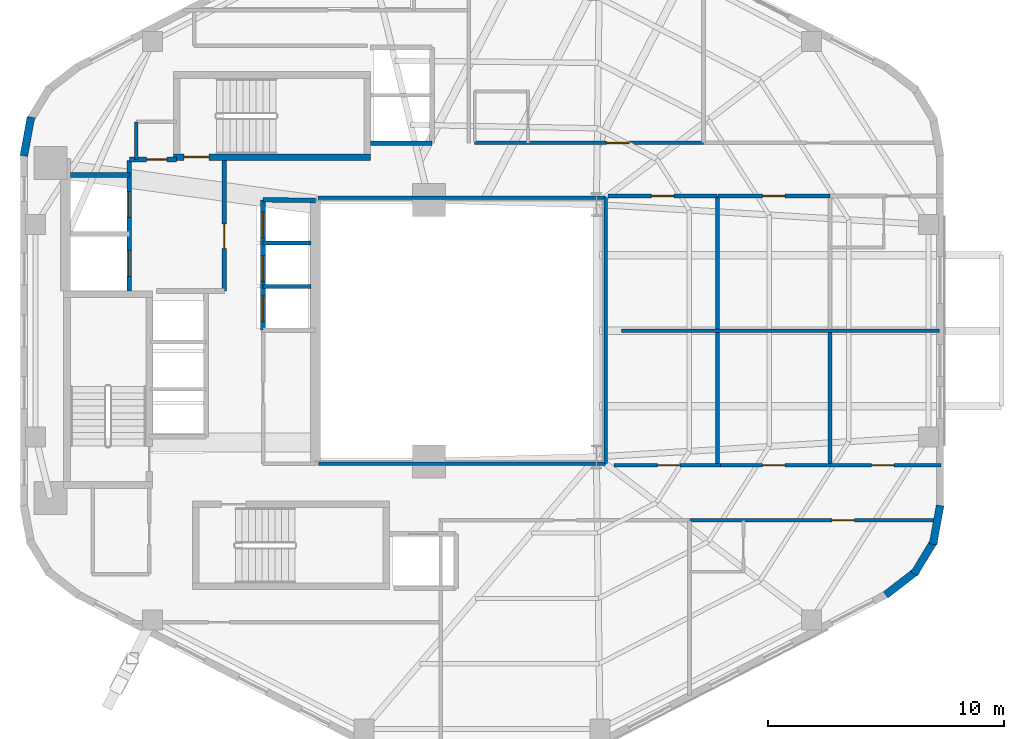
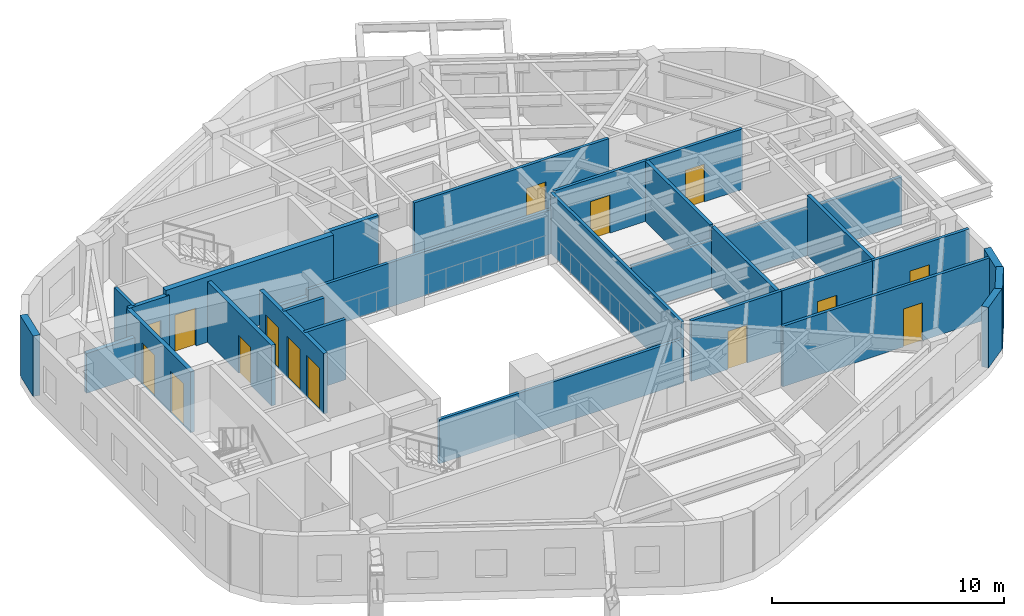
# One storey, part 8 of 12: 29 walls, 15 doors, 15 openings.
"""IFC4 building model written with IfcOpenShell, lengths in metres."""

from ifc_helpers import new_model, si_unit, direction, frame, frame_2d, origin, place, context, subcontext, project, spatial, rectangle, extrude, material, layer, layer_set, type_object, element, fill, save


model = new_model("IFC4")

# Units and contexts
model_context = context("Model", 3, precision=1e-05, world=origin(), true_north=direction((0.0, 1.0)))
body_context = subcontext(model_context, "Body", "Model", "MODEL_VIEW")
ifc_project = project(units=[si_unit("LENGTHUNIT", "METRE"), si_unit("AREAUNIT", "SQUARE_METRE"), si_unit("VOLUMEUNIT", "CUBIC_METRE"), si_unit("PLANEANGLEUNIT", "RADIAN"), si_unit("MASSUNIT", "GRAM", prefix="KILO"), si_unit("THERMODYNAMICTEMPERATUREUNIT", "KELVIN"), si_unit("POWERUNIT", "WATT")], contexts=[model_context])

# Site, building, storey
site_placement = place(None, origin())
site = spatial("IfcSite", under=ifc_project, at=site_placement, CompositionType="ELEMENT")
building_placement = place(site_placement, origin())
building = spatial("IfcBuilding", under=site, at=building_placement, Name="Skarre Station Tower", CompositionType="ELEMENT")
storey_placement = place(building_placement, frame((0.0, 0.0, 163.64990234375)))
storey = spatial("IfcBuildingStorey", under=building, at=storey_placement, Name="L44", CompositionType="ELEMENT", Elevation=163.64990234375)

# Walls
ifc_material_1 = material(Name="Acoustic Steel-Stud Gypsum Partition", Category="steel")
ifc_layer_1 = layer(ifc_material_1, 0.14990234375, Name="Acoustic Steel-Stud Gypsum Partition")
ifc_layer_set_1 = layer_set([ifc_layer_1], Name="Acoustic Steel-Stud Gypsum Partition")
wall_type_1 = type_object("IfcWallType", Name="Fire-Rated Corridor Acoustic Partition 150", PredefinedType="PARTITIONING", material=ifc_layer_set_1)
wall_1_placement = place(storey_placement, frame((19.949951171875, 32.85009765625, 0.0), z_axis=(0.0, 0.0, 1.0), x_axis=(0.0, -1.0, 0.0)))
element("IfcWall", 1, at=wall_1_placement, inside=storey, type_object=wall_type_1, Name="L44 Interior Partition WL-PT-L44-CNW-W", PredefinedType="PARTITIONING", context=body_context, shape_type="SweptSolid", body=[
    extrude(rectangle(XDim=1.590087890625, YDim=0.14990234375, at=frame_2d((0.794921875, 0.0))), origin(), (0.0, 0.0, 1.0), 3.190185546875),
])
wall_2_placement = place(storey_placement, frame((27.675048828125, 18.360107421875, 0.0), z_axis=(0.0, 0.0, 1.0), x_axis=(1.0, 0.0, 0.0)))
element("IfcWall", 2, at=wall_2_placement, inside=storey, type_object=wall_type_1, Name="L44 Interior Partition WL-PT-L44-ATRW-S", PredefinedType="PARTITIONING", context=body_context, shape_type="SweptSolid", body=[
    extrude(rectangle(XDim=12.1650390625, YDim=0.14990234375, at=frame_2d((6.08251953125, 0.0))), origin(), (0.0, 0.0, 1.0), 2.3310546875),
])
wall_3_placement = place(storey_placement, frame((39.840087890625, 29.639892578125, 0.0), z_axis=(0.0, 0.0, 1.0), x_axis=(-1.0, 0.0, 0.0)))
element("IfcWall", 3, at=wall_3_placement, inside=storey, type_object=wall_type_1, Name="L44 Interior Partition WL-PT-L44-ATRW-N", PredefinedType="PARTITIONING", context=body_context, shape_type="SweptSolid", body=[
    extrude(rectangle(XDim=12.2001953125, YDim=0.14990234375, at=frame_2d((6.10009765625, 0.0))), origin(), (0.0, 0.0, 1.0), 2.3310546875),
])
wall_4_placement = place(storey_placement, frame((39.840087890625, 18.360107421875, 0.0), z_axis=(0.0, 0.0, 1.0), x_axis=(0.0, 1.0, 0.0)))
element("IfcWall", 4, at=wall_4_placement, inside=storey, type_object=wall_type_1, Name="L44 Interior Partition WL-PT-L44-ATRW-E", PredefinedType="PARTITIONING", context=body_context, shape_type="SweptSolid", body=[
    extrude(rectangle(XDim=11.27978515625, YDim=0.14990234375, at=frame_2d((5.639892578125, 0.0))), origin(), (0.0, 0.0, 1.0), 3.190185546875),
])

# Wall, opening, door
wall_5_placement = place(storey_placement, frame((43.985107421875, 31.9599609375, 0.0), z_axis=(0.0, 0.0, 1.0), x_axis=(-1.0, 0.0, 0.0)))
wall_5 = element("IfcWall", 5, at=wall_5_placement, inside=storey, type_object=wall_type_1, Name="L44 Interior Partition WL-PT-L44-NW1-CW", PredefinedType="PARTITIONING", context=body_context, shape_type="SweptSolid", body=[
    extrude(rectangle(XDim=9.695068359375, YDim=0.14990234375, at=frame_2d((4.84765625, 0.0))), origin(), (0.0, 0.0, 1.0), 3.190185546875),
])
opening_1_placement = place(wall_5_placement, frame((3.14794921875, 0.0, 0.0)))
opening_1 = element("IfcOpeningElement", 6, at=opening_1_placement, cuts=wall_5, Name="Opening DR-FD60", PredefinedType="OPENING", context=body_context, shape_type="SweptSolid", body=[
    extrude(rectangle(XDim=0.9599609375, YDim=2.0, at=frame_2d((0.47998046875, 1.0))), frame((0.0, 0.0849609375, 0.0), z_axis=(0.0, -1.0, 0.0), x_axis=(1.0, 0.0, 0.0)), (0.0, 0.0, 1.0), 0.169921875),
])
ifc_material_2 = material(Name="Nordic White-Oak Veneer Solid-Core Fire Leaf", Category="wood")
door_type_1 = type_object("IfcDoorType", Name="Corridor Suite Entry Fire Door FD60 960x2150", OperationType="SINGLE_SWING_LEFT", PredefinedType="DOOR", material=ifc_material_2)
door_1_placement = place(opening_1_placement, origin())
door_1 = element("IfcDoor", 7, at=door_1_placement, inside=storey, type_object=door_type_1, Name="L44 NW1 Entry Door", OperationType="SINGLE_SWING_LEFT", OverallHeight=2.0, OverallWidth=0.9599609375, PredefinedType="DOOR", context=body_context, shape_type="SweptSolid", body=[
    extrude(rectangle(XDim=0.9599609375, YDim=2.0, at=frame_2d((0.47998046875, 1.0))), frame((0.0, 0.02490234375, 0.0), z_axis=(0.0, -1.0, 0.0), x_axis=(1.0, 0.0, 0.0)), (0.0, 0.0, 1.0), 0.050048828125),
])
fill(opening_1, door_1)

wall_6_placement = place(storey_placement, frame((39.949951171875, 29.7099609375, 0.0), z_axis=(0.0, 0.0, 1.0), x_axis=(1.0, 0.0, 0.0)))
wall_6 = element("IfcWall", 8, at=wall_6_placement, inside=storey, type_object=wall_type_1, Name="L44 Interior Partition WL-PT-L44-EWN1-CW", PredefinedType="PARTITIONING", context=body_context, shape_type="SweptSolid", body=[
    extrude(rectangle(XDim=4.619140625, YDim=0.14990234375, at=frame_2d((2.3095703125, 0.0))), origin(), (0.0, 0.0, 1.0), 3.190185546875),
])
opening_2_placement = place(wall_6_placement, frame((1.8291015625, 0.0, 0.0)))
opening_2 = element("IfcOpeningElement", 9, at=opening_2_placement, cuts=wall_6, Name="Opening DR-FD60", PredefinedType="OPENING", context=body_context, shape_type="SweptSolid", body=[
    extrude(rectangle(XDim=0.9599609375, YDim=2.0, at=frame_2d((0.47998046875, 1.0))), frame((0.0, 0.0849609375, 0.0), z_axis=(0.0, -1.0, 0.0), x_axis=(1.0, 0.0, 0.0)), (0.0, 0.0, 1.0), 0.169921875),
])
door_2_placement = place(opening_2_placement, origin())
door_2 = element("IfcDoor", 10, at=door_2_placement, inside=storey, type_object=door_type_1, Name="L44 EWN1 Entry Door", OperationType="SINGLE_SWING_LEFT", OverallHeight=2.0, OverallWidth=0.9599609375, PredefinedType="DOOR", context=body_context, shape_type="SweptSolid", body=[
    extrude(rectangle(XDim=0.9599609375, YDim=2.0, at=frame_2d((0.47998046875, 1.0))), frame((0.0, 0.02490234375, 0.0), z_axis=(0.0, -1.0, 0.0), x_axis=(1.0, 0.0, 0.0)), (0.0, 0.0, 1.0), 0.050048828125),
])
fill(opening_2, door_2)

wall_7_placement = place(storey_placement, frame((44.59912109375, 29.7099609375, 0.0), z_axis=(0.0, 0.0, 1.0), x_axis=(1.0, 0.0, 0.0)))
wall_7 = element("IfcWall", 11, at=wall_7_placement, inside=storey, type_object=wall_type_1, Name="L44 Interior Partition WL-PT-L44-EWN2-CW", PredefinedType="PARTITIONING", context=body_context, shape_type="SweptSolid", body=[
    extrude(rectangle(XDim=4.743896484375, YDim=0.14990234375, at=frame_2d((2.3720703125, 0.0))), origin(), (0.0, 0.0, 1.0), 3.190185546875),
])
opening_3_placement = place(wall_7_placement, frame((1.89208984375, 0.0, 0.0)))
opening_3 = element("IfcOpeningElement", 12, at=opening_3_placement, cuts=wall_7, Name="Opening DR-FD60", PredefinedType="OPENING", context=body_context, shape_type="SweptSolid", body=[
    extrude(rectangle(XDim=0.9599609375, YDim=2.0, at=frame_2d((0.47998046875, 1.0))), frame((0.0, 0.0849609375, 0.0), z_axis=(0.0, -1.0, 0.0), x_axis=(1.0, 0.0, 0.0)), (0.0, 0.0, 1.0), 0.169921875),
])
door_3_placement = place(opening_3_placement, origin())
door_3 = element("IfcDoor", 13, at=door_3_placement, inside=storey, type_object=door_type_1, Name="L44 EWN2 Entry Door", OperationType="SINGLE_SWING_LEFT", OverallHeight=2.0, OverallWidth=0.9599609375, PredefinedType="DOOR", context=body_context, shape_type="SweptSolid", body=[
    extrude(rectangle(XDim=0.9599609375, YDim=2.0, at=frame_2d((0.47998046875, 1.0))), frame((0.0, 0.02490234375, 0.0), z_axis=(0.0, -1.0, 0.0), x_axis=(1.0, 0.0, 0.0)), (0.0, 0.0, 1.0), 0.050048828125),
])
fill(opening_3, door_3)

wall_8_placement = place(storey_placement, frame((44.7041015625, 18.2900390625, 0.0), z_axis=(0.0, 0.0, 1.0), x_axis=(-1.0, 0.0, 0.0)))
wall_8 = element("IfcWall", 14, at=wall_8_placement, inside=storey, type_object=wall_type_1, Name="L44 Interior Partition WL-PT-L44-EWS1-CW", PredefinedType="PARTITIONING", context=body_context, shape_type="SweptSolid", body=[
    extrude(rectangle(XDim=4.504150390625, YDim=0.14990234375, at=frame_2d((2.251953125, 0.0))), origin(), (0.0, 0.0, 1.0), 3.190185546875),
])
opening_4_placement = place(wall_8_placement, frame((1.714111328125, 0.0, 0.0)))
opening_4 = element("IfcOpeningElement", 15, at=opening_4_placement, cuts=wall_8, Name="Opening DR-FD60", PredefinedType="OPENING", context=body_context, shape_type="SweptSolid", body=[
    extrude(rectangle(XDim=0.9599609375, YDim=2.0, at=frame_2d((0.47998046875, 1.0))), frame((0.0, 0.0849609375, 0.0), z_axis=(0.0, -1.0, 0.0), x_axis=(1.0, 0.0, 0.0)), (0.0, 0.0, 1.0), 0.169921875),
])
door_4_placement = place(opening_4_placement, origin())
door_4 = element("IfcDoor", 16, at=door_4_placement, inside=storey, type_object=door_type_1, Name="L44 EWS1 Entry Door", OperationType="SINGLE_SWING_LEFT", OverallHeight=2.0, OverallWidth=0.9599609375, PredefinedType="DOOR", context=body_context, shape_type="SweptSolid", body=[
    extrude(rectangle(XDim=0.9599609375, YDim=2.0, at=frame_2d((0.47998046875, 1.0))), frame((0.0, 0.02490234375, 0.0), z_axis=(0.0, -1.0, 0.0), x_axis=(1.0, 0.0, 0.0)), (0.0, 0.0, 1.0), 0.050048828125),
])
fill(opening_4, door_4)

wall_9_placement = place(storey_placement, frame((49.22802734375, 18.2900390625, 0.0), z_axis=(0.0, 0.0, 1.0), x_axis=(-1.0, 0.0, 0.0)))
wall_9 = element("IfcWall", 17, at=wall_9_placement, inside=storey, type_object=wall_type_1, Name="L44 Interior Partition WL-PT-L44-EWS2-CW", PredefinedType="PARTITIONING", context=body_context, shape_type="SweptSolid", body=[
    extrude(rectangle(XDim=4.513916015625, YDim=0.14990234375, at=frame_2d((2.2568359375, 0.0))), origin(), (0.0, 0.0, 1.0), 3.190185546875),
])
opening_5_placement = place(wall_9_placement, frame((1.777099609375, 0.0, 0.0)))
opening_5 = element("IfcOpeningElement", 18, at=opening_5_placement, cuts=wall_9, Name="Opening DR-FD60", PredefinedType="OPENING", context=body_context, shape_type="SweptSolid", body=[
    extrude(rectangle(XDim=0.9599609375, YDim=2.0, at=frame_2d((0.47998046875, 1.0))), frame((0.0, 0.0849609375, 0.0), z_axis=(0.0, -1.0, 0.0), x_axis=(1.0, 0.0, 0.0)), (0.0, 0.0, 1.0), 0.169921875),
])
door_5_placement = place(opening_5_placement, origin())
door_5 = element("IfcDoor", 19, at=door_5_placement, inside=storey, type_object=door_type_1, Name="L44 EWS2 Entry Door", OperationType="SINGLE_SWING_LEFT", OverallHeight=2.0, OverallWidth=0.9599609375, PredefinedType="DOOR", context=body_context, shape_type="SweptSolid", body=[
    extrude(rectangle(XDim=0.9599609375, YDim=2.0, at=frame_2d((0.47998046875, 1.0))), frame((0.0, 0.02490234375, 0.0), z_axis=(0.0, -1.0, 0.0), x_axis=(1.0, 0.0, 0.0)), (0.0, 0.0, 1.0), 0.050048828125),
])
fill(opening_5, door_5)

wall_10_placement = place(storey_placement, frame((54.06201171875, 18.2900390625, 0.0), z_axis=(0.0, 0.0, 1.0), x_axis=(-1.0, 0.0, 0.0)))
wall_10 = element("IfcWall", 20, at=wall_10_placement, inside=storey, type_object=wall_type_1, Name="L44 Interior Partition WL-PT-L44-EWS3-CW", PredefinedType="PARTITIONING", context=body_context, shape_type="SweptSolid", body=[
    extrude(rectangle(XDim=4.823974609375, YDim=0.14990234375, at=frame_2d((2.412109375, 0.0))), origin(), (0.0, 0.0, 1.0), 3.190185546875),
])
opening_6_placement = place(wall_10_placement, frame((1.989013671875, 0.0, 0.0)))
opening_6 = element("IfcOpeningElement", 21, at=opening_6_placement, cuts=wall_10, Name="Opening DR-FD60", PredefinedType="OPENING", context=body_context, shape_type="SweptSolid", body=[
    extrude(rectangle(XDim=0.9599609375, YDim=2.0, at=frame_2d((0.47998046875, 1.0))), frame((0.0, 0.0849609375, 0.0), z_axis=(0.0, -1.0, 0.0), x_axis=(1.0, 0.0, 0.0)), (0.0, 0.0, 1.0), 0.169921875),
])
door_6_placement = place(opening_6_placement, origin())
door_6 = element("IfcDoor", 22, at=door_6_placement, inside=storey, type_object=door_type_1, Name="L44 EWS3 Entry Door", OperationType="SINGLE_SWING_LEFT", OverallHeight=2.0, OverallWidth=0.9599609375, PredefinedType="DOOR", context=body_context, shape_type="SweptSolid", body=[
    extrude(rectangle(XDim=0.9599609375, YDim=2.0, at=frame_2d((0.47998046875, 1.0))), frame((0.0, 0.02490234375, 0.0), z_axis=(0.0, -1.0, 0.0), x_axis=(1.0, 0.0, 0.0)), (0.0, 0.0, 1.0), 0.050048828125),
])
fill(opening_6, door_6)

wall_11_placement = place(storey_placement, frame((43.4189453125, 15.9599609375, 0.0), z_axis=(0.0, 0.0, 1.0), x_axis=(1.0, 0.0, 0.0)))
wall_11 = element("IfcWall", 23, at=wall_11_placement, inside=storey, type_object=wall_type_1, Name="L44 Interior Partition WL-PT-L44-SW2-CW", PredefinedType="PARTITIONING", context=body_context, shape_type="SweptSolid", body=[
    extrude(rectangle(XDim=10.64404296875, YDim=0.14990234375, at=frame_2d((5.322021484375, 0.0))), origin(), (0.0, 0.0, 1.0), 3.190185546875),
])
opening_7_placement = place(wall_11_placement, frame((6.010986328125, 0.0, 0.0)))
opening_7 = element("IfcOpeningElement", 24, at=opening_7_placement, cuts=wall_11, Name="Opening DR-FD60", PredefinedType="OPENING", context=body_context, shape_type="SweptSolid", body=[
    extrude(rectangle(XDim=0.9599609375, YDim=2.0, at=frame_2d((0.47998046875, 1.0))), frame((0.0, 0.0849609375, 0.0), z_axis=(0.0, -1.0, 0.0), x_axis=(1.0, 0.0, 0.0)), (0.0, 0.0, 1.0), 0.169921875),
])
door_7_placement = place(opening_7_placement, origin())
door_7 = element("IfcDoor", 25, at=door_7_placement, inside=storey, type_object=door_type_1, Name="L44 SW2 Entry Door", OperationType="SINGLE_SWING_LEFT", OverallHeight=2.0, OverallWidth=0.9599609375, PredefinedType="DOOR", context=body_context, shape_type="SweptSolid", body=[
    extrude(rectangle(XDim=0.9599609375, YDim=2.0, at=frame_2d((0.47998046875, 1.0))), frame((0.0, 0.02490234375, 0.0), z_axis=(0.0, -1.0, 0.0), x_axis=(1.0, 0.0, 0.0)), (0.0, 0.0, 1.0), 0.050048828125),
])
fill(opening_7, door_7)

# Walls
ifc_material_3 = material(Name="Precast concrete C45/55", Category="concrete")
ifc_layer_2 = layer(ifc_material_3, 0.330078125, Name="Precast concrete C45/55")
ifc_layer_set_2 = layer_set([ifc_layer_2], Name="Precast concrete C45/55")
wall_type_2 = type_object("IfcWallType", Name="Nordic Rounded Corner Precast Wall 330", PredefinedType="STANDARD", material=ifc_layer_set_2)
for number, where, z_axis, x_axis, name in (
    (26, (15.178955078125, 31.407958984375, 0.0), (0.0, 0.0, 1.0), (0.180717642671, 0.983535019014, 0.0), "L44 Rounded Corner Precast Wall F2-1"),
    (27, (54.02099609375, 16.592041015625, 0.0), (0.0, 0.0, 1.0), (-0.180717642671, -0.983535019014, 0.0), "L44 Rounded Corner Precast Wall F5-1"),
):
    element("IfcWall", number, at=place(storey_placement, frame(where, z_axis=z_axis, x_axis=x_axis)), inside=storey, type_object=wall_type_2, Name=name, PredefinedType="STANDARD", context=body_context, shape_type="SweptSolid", body=[
        extrude(rectangle(XDim=1.676513671875, YDim=0.330078125, at=frame_2d((0.83837890625, 0.0))), origin(), (0.0, 0.0, 1.0), 3.190185546875),
    ])
wall_12_placement = place(storey_placement, frame((53.784912109375, 15.117919921875, 0.0), z_axis=(0.0, 0.0, 1.0), x_axis=(-0.520219286058, -0.85403272444, 0.0)))
element("IfcWall", 28, at=wall_12_placement, inside=storey, type_object=wall_type_2, Name="L44 Rounded Corner Precast Wall F5-2", PredefinedType="STANDARD", context=body_context, shape_type="SweptSolid", body=[
    extrude(rectangle(XDim=1.677734375, YDim=0.330078125, at=frame_2d((0.8388671875, 0.0))), origin(), (0.0, 0.0, 1.0), 3.190185546875),
])
wall_13_placement = place(storey_placement, frame((53.0380859375, 13.824951171875, 0.0), z_axis=(0.0, 0.0, 1.0), x_axis=(-0.791464279355, -0.611215423976, 0.0)))
element("IfcWall", 29, at=wall_13_placement, inside=storey, type_object=wall_type_2, Name="L44 Rounded Corner Precast Wall F5-3", PredefinedType="STANDARD", context=body_context, shape_type="SweptSolid", body=[
    extrude(rectangle(XDim=1.6767578125, YDim=0.330078125, at=frame_2d((0.83837890625, 0.0))), origin(), (0.0, 0.0, 1.0), 3.190185546875),
])

# Wall, opening, door
ifc_material_4 = material(Name="Concrete C50/60", Category="concrete")
ifc_layer_3 = layer(ifc_material_4, 0.280029296875, Name="Concrete C50/60")
ifc_layer_set_3 = layer_set([ifc_layer_3], Name="Concrete C50/60")
wall_type_3 = type_object("IfcWallType", Name="RC Core Shear Wall 280", PredefinedType="SHEAR", material=ifc_layer_set_3)
wall_14_placement = place(storey_placement, frame((21.52001953125, 31.360107421875, 0.0), z_axis=(0.0, 0.0, 1.0), x_axis=(1.0, 0.0, 0.0)))
wall_14 = element("IfcWall", 30, at=wall_14_placement, inside=storey, type_object=wall_type_3, Name="L44 Stair ST-3 South Shear Wall", PredefinedType="SHEAR", context=body_context, shape_type="SweptSolid", body=[
    extrude(rectangle(XDim=8.35986328125, YDim=0.280029296875, at=frame_2d((4.179931640625, 0.0))), origin(), (0.0, 0.0, 1.0), 3.4501953125),
])
opening_8_placement = place(wall_14_placement, frame((0.449951171875, 0.0, 0.0)))
opening_8 = element("IfcOpeningElement", 31, at=opening_8_placement, cuts=wall_14, Name="Opening DR-FD90", PredefinedType="OPENING", context=body_context, shape_type="SweptSolid", body=[
    extrude(rectangle(XDim=1.050048828125, YDim=2.0, at=frame_2d((0.52490234375, 1.0))), frame((0.0, 0.14990234375, 0.0), z_axis=(0.0, -1.0, 0.0), x_axis=(1.0, 0.0, 0.0)), (0.0, 0.0, 1.0), 0.300048828125),
])
ifc_material_5 = material(Name="Fire-Rated Insulated Steel Frame & Timber Core Leaf", Category="steel")
door_type_2 = type_object("IfcDoorType", Name="Stair & FSAE Lobby Fire Door FD90 1050x2150", OperationType="SINGLE_SWING_RIGHT", PredefinedType="DOOR", material=ifc_material_5)
door_8_placement = place(opening_8_placement, origin())
door_8 = element("IfcDoor", 32, at=door_8_placement, inside=storey, type_object=door_type_2, Name="L44 Stair ST-3 & FSAE Lobby Direct Exit Door", OperationType="SINGLE_SWING_LEFT", OverallHeight=2.0, OverallWidth=1.050048828125, PredefinedType="DOOR", context=body_context, shape_type="SweptSolid", body=[
    extrude(rectangle(XDim=1.050048828125, YDim=2.0, at=frame_2d((0.52490234375, 1.0))), frame((0.0, 0.02490234375, 0.0), z_axis=(0.0, -1.0, 0.0), x_axis=(1.0, 0.0, 0.0)), (0.0, 0.0, 1.0), 0.050048828125),
])
fill(opening_8, door_8)

# Wall, openings, doors
ifc_material_6 = material(Name="Gypsum Concrete Shaft Assembly C30/37", Category="concrete")
ifc_layer_4 = layer(ifc_material_6, 0.199951171875, Name="Gypsum Concrete Shaft Assembly C30/37")
ifc_layer_set_4 = layer_set([ifc_layer_4], Name="Gypsum Concrete Shaft Assembly C30/37")
wall_type_4 = type_object("IfcWallType", Name="Shaft & Core Fire Partition 200", PredefinedType="PARTITIONING", material=ifc_layer_set_4)
wall_15_placement = place(storey_placement, frame((19.64990234375, 25.679931640625, 0.0), z_axis=(0.0, 0.0, 1.0), x_axis=(0.0, 1.0, 0.0)))
wall_15 = element("IfcWall", 33, at=wall_15_placement, inside=storey, type_object=wall_type_4, Name="L44 Interior Partition WL-PT-L44-FSAE-W", PredefinedType="PARTITIONING", context=body_context, shape_type="SweptSolid", body=[
    extrude(rectangle(XDim=5.5400390625, YDim=0.199951171875, at=frame_2d((2.77001953125, 0.0))), origin(), (0.0, 0.0, 1.0), 3.190185546875),
])
opening_9_placement = place(wall_15_placement, frame((0.6201171875, 0.0, 0.0)))
opening_9 = element("IfcOpeningElement", 34, at=opening_9_placement, cuts=wall_15, Name="Opening LD-FF1", PredefinedType="OPENING", context=body_context, shape_type="SweptSolid", body=[
    extrude(rectangle(XDim=1.10009765625, YDim=2.199951171875, at=frame_2d((0.550048828125, 1.10009765625))), frame((0.0, 0.10986328125, 0.0), z_axis=(0.0, -1.0, 0.0), x_axis=(1.0, 0.0, 0.0)), (0.0, 0.0, 1.0), 0.219970703125),
])
opening_10_placement = place(wall_15_placement, frame((3.1201171875, 0.0, 0.0)))
opening_10 = element("IfcOpeningElement", 35, at=opening_10_placement, cuts=wall_15, Name="Opening LD-FF2", PredefinedType="OPENING", context=body_context, shape_type="SweptSolid", body=[
    extrude(rectangle(XDim=1.10009765625, YDim=2.199951171875, at=frame_2d((0.550048828125, 1.10009765625))), frame((0.0, 0.10986328125, 0.0), z_axis=(0.0, -1.0, 0.0), x_axis=(1.0, 0.0, 0.0)), (0.0, 0.0, 1.0), 0.219970703125),
])
ifc_material_7 = material(Name="Fire-Rated Stainless Steel Grade 316L Sliding Leaves", Category="steel")
door_type_3 = type_object("IfcDoorType", Name="Fire Service Access Elevator Sliding Landing Door 1100x2200", OperationType="SLIDING_TO_LEFT", PredefinedType="DOOR", material=ifc_material_7)
door_9_placement = place(opening_9_placement, origin())
door_9 = element("IfcDoor", 36, at=door_9_placement, inside=storey, type_object=door_type_3, Name="L44 Firefighting Lift LF-FF1 Landing Door", OperationType="SLIDING_TO_LEFT", OverallHeight=2.199951171875, OverallWidth=1.10009765625, PredefinedType="DOOR", context=body_context, shape_type="SweptSolid", body=[
    extrude(rectangle(XDim=1.10009765625, YDim=2.199951171875, at=frame_2d((0.550048828125, 1.10009765625))), frame((0.0, 0.02490234375, 0.0), z_axis=(0.0, -1.0, 0.0), x_axis=(1.0, 0.0, 0.0)), (0.0, 0.0, 1.0), 0.050048828125),
])
fill(opening_9, door_9)
door_10_placement = place(opening_10_placement, origin())
door_10 = element("IfcDoor", 37, at=door_10_placement, inside=storey, type_object=door_type_3, Name="L44 Firefighting Lift LF-FF2 Landing Door", OperationType="SLIDING_TO_LEFT", OverallHeight=2.199951171875, OverallWidth=1.10009765625, PredefinedType="DOOR", context=body_context, shape_type="SweptSolid", body=[
    extrude(rectangle(XDim=1.10009765625, YDim=2.199951171875, at=frame_2d((0.550048828125, 1.10009765625))), frame((0.0, 0.02490234375, 0.0), z_axis=(0.0, -1.0, 0.0), x_axis=(1.0, 0.0, 0.0)), (0.0, 0.0, 1.0), 0.050048828125),
])
fill(opening_10, door_10)

# Wall, opening, door
wall_16_placement = place(storey_placement, frame((23.679931640625, 25.679931640625, 0.0), z_axis=(0.0, 0.0, 1.0), x_axis=(0.0, 1.0, 0.0)))
wall_16 = element("IfcWall", 38, at=wall_16_placement, inside=storey, type_object=wall_type_4, Name="L44 Interior Partition WL-PT-L44-FSAE-E", PredefinedType="PARTITIONING", context=body_context, shape_type="SweptSolid", body=[
    extrude(rectangle(XDim=5.5400390625, YDim=0.199951171875, at=frame_2d((2.77001953125, 0.0))), origin(), (0.0, 0.0, 1.0), 3.190185546875),
])
opening_11_placement = place(wall_16_placement, frame((1.800048828125, 0.0, 0.0)))
opening_11 = element("IfcOpeningElement", 39, at=opening_11_placement, cuts=wall_16, Name="Opening DR-FD90", PredefinedType="OPENING", context=body_context, shape_type="SweptSolid", body=[
    extrude(rectangle(XDim=1.050048828125, YDim=2.0, at=frame_2d((0.52490234375, 1.0))), frame((0.0, 0.10986328125, 0.0), z_axis=(0.0, -1.0, 0.0), x_axis=(1.0, 0.0, 0.0)), (0.0, 0.0, 1.0), 0.219970703125),
])
door_11_placement = place(opening_11_placement, origin())
door_11 = element("IfcDoor", 40, at=door_11_placement, inside=storey, type_object=door_type_2, Name="L44 FSAE Lobby Fire Door", OperationType="SINGLE_SWING_RIGHT", OverallHeight=2.0, OverallWidth=1.050048828125, PredefinedType="DOOR", context=body_context, shape_type="SweptSolid", body=[
    extrude(rectangle(XDim=1.050048828125, YDim=2.0, at=frame_2d((0.52490234375, 1.0))), frame((0.0, 0.02490234375, 0.0), z_axis=(0.0, -1.0, 0.0), x_axis=(1.0, 0.0, 0.0)), (0.0, 0.0, 1.0), 0.050048828125),
])
fill(opening_11, door_11)

wall_17_placement = place(storey_placement, frame((21.659912109375, 31.260009765625, 0.0), z_axis=(0.0, 0.0, 1.0), x_axis=(-1.0, 0.0, 0.0)))
wall_17 = element("IfcWall", 41, at=wall_17_placement, inside=storey, type_object=wall_type_4, Name="L44 Interior Partition WL-PT-L44-FSAE-N", PredefinedType="PARTITIONING", context=body_context, shape_type="SweptSolid", body=[
    extrude(rectangle(XDim=2.010009765625, YDim=0.199951171875, at=frame_2d((1.0048828125, 0.0))), origin(), (0.0, 0.0, 1.0), 3.190185546875),
])
opening_12_placement = place(wall_17_placement, frame((0.419921875, 0.0, 0.0)))
opening_12 = element("IfcOpeningElement", 42, at=opening_12_placement, cuts=wall_17, Name="Opening DR-SVC86", PredefinedType="OPENING", context=body_context, shape_type="SweptSolid", body=[
    extrude(rectangle(XDim=0.860107421875, YDim=2.0, at=frame_2d((0.43017578125, 1.0))), frame((0.0, 0.10986328125, 0.0), z_axis=(0.0, -1.0, 0.0), x_axis=(1.0, 0.0, 0.0)), (0.0, 0.0, 1.0), 0.219970703125),
])
ifc_material_8 = material(Name="Powder-Coated Hollow-Metal Acoustic Fire Leaf", Category="steel")
door_type_4 = type_object("IfcDoorType", Name="Compact Riser Fire Door FD60 860x2100", OperationType="SINGLE_SWING_LEFT", PredefinedType="DOOR", material=ifc_material_8)
door_12_placement = place(opening_12_placement, origin())
door_12 = element("IfcDoor", 43, at=door_12_placement, inside=storey, type_object=door_type_4, Name="L44 Core Service Room Lobby Door", OperationType="SINGLE_SWING_LEFT", OverallHeight=2.0, OverallWidth=0.860107421875, PredefinedType="DOOR", context=body_context, shape_type="SweptSolid", body=[
    extrude(rectangle(XDim=0.860107421875, YDim=2.0, at=frame_2d((0.43017578125, 1.0))), frame((0.0, 0.02490234375, 0.0), z_axis=(0.0, -1.0, 0.0), x_axis=(1.0, 0.0, 0.0)), (0.0, 0.0, 1.0), 0.050048828125),
])
fill(opening_12, door_12)

# Walls
wall_18_placement = place(storey_placement, frame((19.64990234375, 30.60009765625, 0.0), z_axis=(0.0, 0.0, 1.0), x_axis=(-1.0, 0.0, 0.0)))
element("IfcWall", 44, at=wall_18_placement, inside=storey, type_object=wall_type_4, Name="L44 Interior Partition WL-PT-L44-FF-N", PredefinedType="PARTITIONING", context=body_context, shape_type="SweptSolid", body=[
    extrude(rectangle(XDim=2.5, YDim=0.199951171875, at=frame_2d((1.25, 0.0))), origin(), (0.0, 0.0, 1.0), 2.090087890625),
])
wall_19_placement = place(storey_placement, frame((32.47998046875, 31.949951171875, 0.0), z_axis=(0.0, 0.0, 1.0), x_axis=(-1.0, 0.0, 0.0)))
element("IfcWall", 45, at=wall_19_placement, inside=storey, type_object=wall_type_4, Name="L44 Interior Partition WL-PT-L44-EX-S", PredefinedType="PARTITIONING", context=body_context, shape_type="SweptSolid", body=[
    extrude(rectangle(XDim=2.60009765625, YDim=0.199951171875, at=frame_2d((1.300048828125, 0.0))), origin(), (0.0, 0.0, 1.0), 3.190185546875),
])

# Wall, openings, doors
wall_20_placement = place(storey_placement, frame((25.320068359375, 29.550048828125, 0.0), z_axis=(0.0, 0.0, 1.0), x_axis=(0.0, -1.0, 0.0)))
wall_20 = element("IfcWall", 46, at=wall_20_placement, inside=storey, type_object=wall_type_4, Name="L44 Interior Partition WL-PT-L44-B2-W", PredefinedType="PARTITIONING", context=body_context, shape_type="SweptSolid", body=[
    extrude(rectangle(XDim=5.530029296875, YDim=0.199951171875, at=frame_2d((2.76513671875, 0.0))), origin(), (0.0, 0.0, 1.0), 3.190185546875),
])
opening_13_placement = place(wall_20_placement, frame((0.52001953125, 0.0, 0.0)))
opening_13 = element("IfcOpeningElement", 47, at=opening_13_placement, cuts=wall_20, Name="Opening LD-P6", PredefinedType="OPENING", context=body_context, shape_type="SweptSolid", body=[
    extrude(rectangle(XDim=1.10009765625, YDim=2.199951171875, at=frame_2d((0.550048828125, 1.10009765625))), frame((0.0, 0.10986328125, 0.0), z_axis=(0.0, -1.0, 0.0), x_axis=(1.0, 0.0, 0.0)), (0.0, 0.0, 1.0), 0.219970703125),
])
opening_14_placement = place(wall_20_placement, frame((2.3701171875, 0.0, 0.0)))
opening_14 = element("IfcOpeningElement", 48, at=opening_14_placement, cuts=wall_20, Name="Opening LD-P5", PredefinedType="OPENING", context=body_context, shape_type="SweptSolid", body=[
    extrude(rectangle(XDim=1.10009765625, YDim=2.199951171875, at=frame_2d((0.550048828125, 1.10009765625))), frame((0.0, 0.10986328125, 0.0), z_axis=(0.0, -1.0, 0.0), x_axis=(1.0, 0.0, 0.0)), (0.0, 0.0, 1.0), 0.219970703125),
])
opening_15_placement = place(wall_20_placement, frame((4.070068359375, 0.0, 0.0)))
opening_15 = element("IfcOpeningElement", 49, at=opening_15_placement, cuts=wall_20, Name="Opening LD-P4", PredefinedType="OPENING", context=body_context, shape_type="SweptSolid", body=[
    extrude(rectangle(XDim=1.10009765625, YDim=2.199951171875, at=frame_2d((0.550048828125, 1.10009765625))), frame((0.0, 0.10986328125, 0.0), z_axis=(0.0, -1.0, 0.0), x_axis=(1.0, 0.0, 0.0)), (0.0, 0.0, 1.0), 0.219970703125),
])
ifc_material_9 = material(Name="Brushed Bronze Stainless Steel Sliding Leaves", Category="steel")
door_type_5 = type_object("IfcDoorType", Name="Passenger Elevator Center-Parting Sliding Door 1100x2200", OperationType="SLIDING_TO_LEFT", PredefinedType="DOOR", material=ifc_material_9)
door_13_placement = place(opening_13_placement, origin())
door_13 = element("IfcDoor", 50, at=door_13_placement, inside=storey, type_object=door_type_5, Name="L44 Passenger Lift LF-P6 Landing Door", OperationType="SLIDING_TO_LEFT", OverallHeight=2.199951171875, OverallWidth=1.10009765625, PredefinedType="DOOR", context=body_context, shape_type="SweptSolid", body=[
    extrude(rectangle(XDim=1.10009765625, YDim=2.199951171875, at=frame_2d((0.550048828125, 1.10009765625))), frame((0.0, 0.02490234375, 0.0), z_axis=(0.0, -1.0, 0.0), x_axis=(1.0, 0.0, 0.0)), (0.0, 0.0, 1.0), 0.050048828125),
])
fill(opening_13, door_13)
door_14_placement = place(opening_14_placement, origin())
door_14 = element("IfcDoor", 51, at=door_14_placement, inside=storey, type_object=door_type_5, Name="L44 Passenger Lift LF-P5 Landing Door", OperationType="SLIDING_TO_LEFT", OverallHeight=2.199951171875, OverallWidth=1.10009765625, PredefinedType="DOOR", context=body_context, shape_type="SweptSolid", body=[
    extrude(rectangle(XDim=1.10009765625, YDim=2.199951171875, at=frame_2d((0.550048828125, 1.10009765625))), frame((0.0, 0.02490234375, 0.0), z_axis=(0.0, -1.0, 0.0), x_axis=(1.0, 0.0, 0.0)), (0.0, 0.0, 1.0), 0.050048828125),
])
fill(opening_14, door_14)
door_15_placement = place(opening_15_placement, origin())
door_15 = element("IfcDoor", 52, at=door_15_placement, inside=storey, type_object=door_type_5, Name="L44 Passenger Lift LF-P4 Landing Door", OperationType="SLIDING_TO_LEFT", OverallHeight=2.199951171875, OverallWidth=1.10009765625, PredefinedType="DOOR", context=body_context, shape_type="SweptSolid", body=[
    extrude(rectangle(XDim=1.10009765625, YDim=2.199951171875, at=frame_2d((0.550048828125, 1.10009765625))), frame((0.0, 0.02490234375, 0.0), z_axis=(0.0, -1.0, 0.0), x_axis=(1.0, 0.0, 0.0)), (0.0, 0.0, 1.0), 0.050048828125),
])
fill(opening_15, door_15)

# Walls
wall_21_placement = place(storey_placement, frame((27.550048828125, 29.52001953125, 0.0), z_axis=(0.0, 0.0, 1.0), x_axis=(-0.999909343457, 0.013464949556, 0.0)))
element("IfcWall", 53, at=wall_21_placement, inside=storey, type_object=wall_type_4, Name="L44 Interior Partition WL-PT-L44-B2-N", PredefinedType="PARTITIONING", context=body_context, shape_type="SweptSolid", body=[
    extrude(rectangle(XDim=2.230224609375, YDim=0.199951171875, at=frame_2d((1.115234375, 0.0))), origin(), (0.0, 0.0, 1.0), 2.090087890625),
])
for number, where, z_axis, x_axis, name in (
    (54, (25.320068359375, 25.8701171875, 0.0), (0.0, 0.0, 1.0), (1.0, 0.0, 0.0), "L44 Interior Partition WL-PT-L44-B2-D258"),
    (55, (25.320068359375, 27.719970703125, 0.0), (0.0, 0.0, 1.0), (1.0, 0.0, 0.0), "L44 Interior Partition WL-PT-L44-B2-D277"),
):
    element("IfcWall", number, at=place(storey_placement, frame(where, z_axis=z_axis, x_axis=x_axis)), inside=storey, type_object=wall_type_4, Name=name, PredefinedType="PARTITIONING", context=body_context, shape_type="SweptSolid", body=[
        extrude(rectangle(XDim=2.030029296875, YDim=0.159912109375, at=frame_2d((1.01513671875, 0.0))), origin(), (0.0, 0.0, 1.0), 3.190185546875),
    ])
ifc_layer_5 = layer(ifc_material_1, 0.1650390625, Name="Acoustic Steel-Stud Gypsum Partition")
ifc_layer_set_5 = layer_set([ifc_layer_5], Name="Acoustic Steel-Stud Gypsum Partition")
wall_type_5 = type_object("IfcWallType", Name="Suite Demising Acoustic Partition 165", PredefinedType="PARTITIONING", material=ifc_layer_set_5)
wall_22_placement = place(storey_placement, frame((40.52001953125, 24.0, 0.0), z_axis=(0.0, 0.0, 1.0), x_axis=(1.0, 0.0, 0.0)))
element("IfcWall", 56, at=wall_22_placement, inside=storey, type_object=wall_type_5, Name="L44 Interior Partition WL-PT-L44-EW-Z2MID", PredefinedType="PARTITIONING", context=body_context, shape_type="SweptSolid", body=[
    extrude(rectangle(XDim=13.48193359375, YDim=0.1650390625, at=frame_2d((6.740966796875, 0.0))), origin(), (0.0, 0.0, 1.0), 2.494140625),
])
for number, where, z_axis, x_axis, name in (
    (57, (44.583984375, 24.070068359375, 0.0), (0.0, 0.0, 1.0), (0.0, 1.0, 0.0), "L44 Interior Partition WL-PT-L44-EWN-P1"),
    (58, (44.583984375, 18.2900390625, 0.0), (0.0, 0.0, 1.0), (0.0, 1.0, 0.0), "L44 Interior Partition WL-PT-L44-EWS-P1"),
    (59, (49.35791015625, 18.2900390625, 0.0), (0.0, 0.0, 1.0), (0.0, 1.0, 0.0), "L44 Interior Partition WL-PT-L44-EWS-P2"),
):
    element("IfcWall", number, at=place(storey_placement, frame(where, z_axis=z_axis, x_axis=x_axis)), inside=storey, type_object=wall_type_5, Name=name, PredefinedType="PARTITIONING", context=body_context, shape_type="SweptSolid", body=[
        extrude(rectangle(XDim=5.639892578125, YDim=0.1650390625, at=frame_2d((2.81982421875, 0.0))), origin(), (0.0, 0.0, 1.0), 3.190185546875),
    ])

save(model, "model.ifc")
